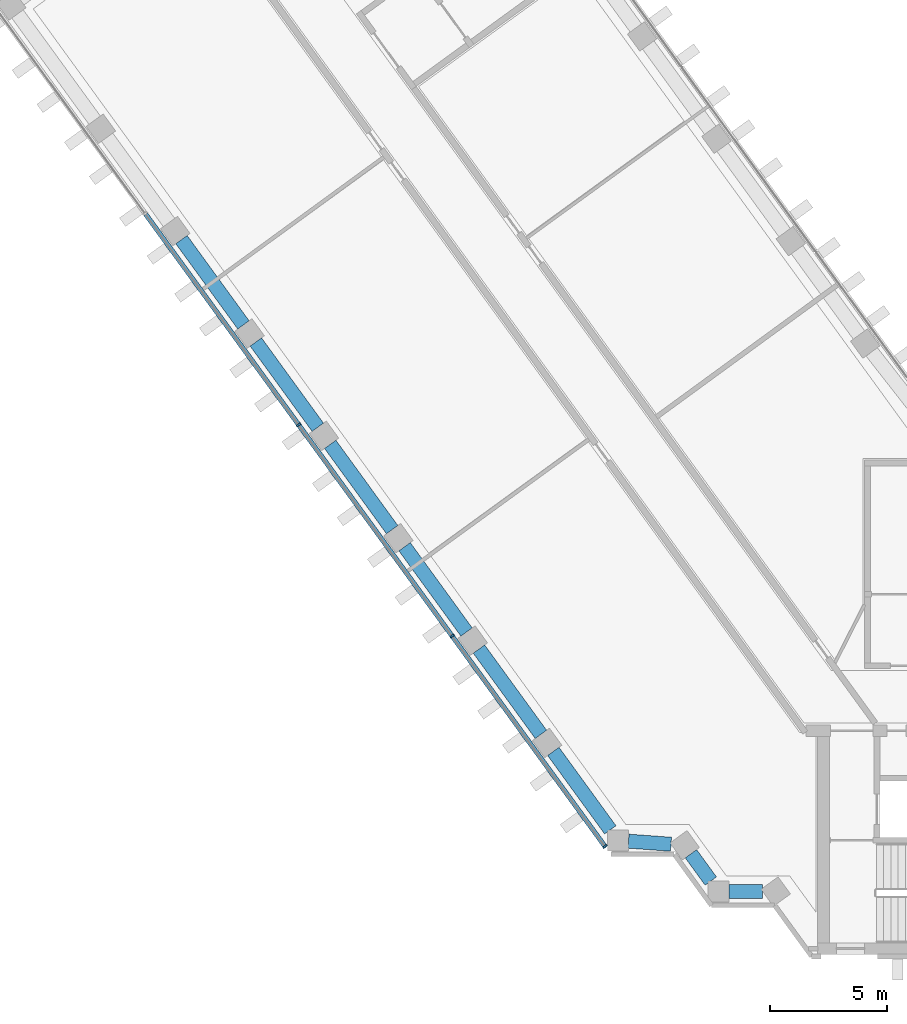
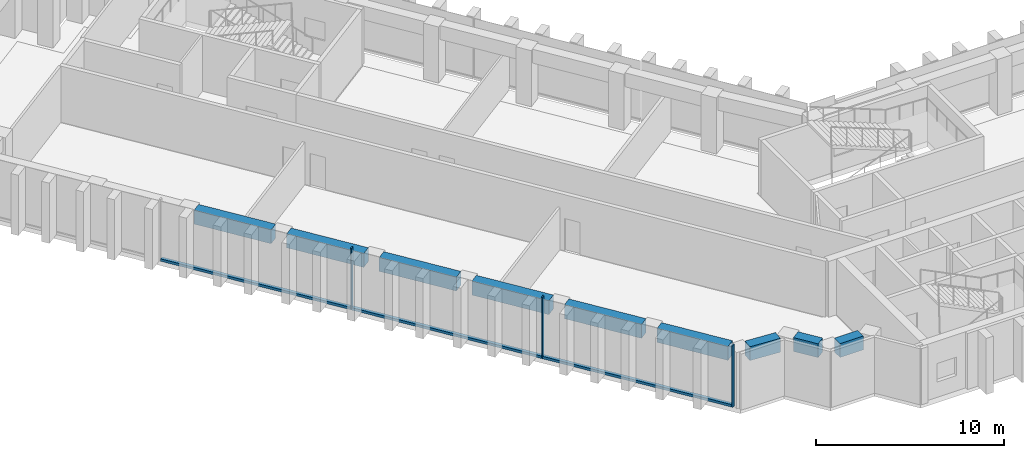
# One storey, part 2 of 15: 9 beams, 6 members, 1 element without a shape of its own.
"""IFC4 building model written with IfcOpenShell, lengths in metres."""

from ifc_helpers import new_model, si_unit, direction, frame, origin, origin_2d, place, context, subcontext, project, spatial, rectangle, extrude, material, material_profile, profile_set, type_object, element, aggregate, save


model = new_model("IFC4")

# Units and contexts
model_context = context("Model", 3, precision=1e-05, world=origin(), true_north=direction((0.0, 1.0)))
body_context = subcontext(model_context, "Body", "Model", "MODEL_VIEW")
ifc_project = project(units=[si_unit("LENGTHUNIT", "METRE"), si_unit("AREAUNIT", "SQUARE_METRE"), si_unit("VOLUMEUNIT", "CUBIC_METRE"), si_unit("PLANEANGLEUNIT", "RADIAN"), si_unit("MASSUNIT", "GRAM", prefix="KILO")], contexts=[model_context])

# Site, building, storey
site_placement = place(None, origin())
site = spatial("IfcSite", under=ifc_project, at=site_placement, CompositionType="ELEMENT")
building_placement = place(site_placement, origin())
building = spatial("IfcBuilding", under=site, at=building_placement, Name="Quipu Civic Tower", CompositionType="ELEMENT")
storey_placement = place(building_placement, frame((0.0, 0.0, 31.0)))
storey = spatial("IfcBuildingStorey", under=building, at=storey_placement, Name="L06", CompositionType="ELEMENT", Elevation=31.0)

# Curtain wall, members
ifc_material_1 = material(Name="Insulated glass unit", Category="glass")
curtain_wall_type = type_object("IfcCurtainWallType", Name="Office curtain wall CW1", PredefinedType="NOTDEFINED", material=ifc_material_1)
curtain_wall_placement = place(storey_placement, origin())
curtain_wall = element("IfcCurtainWall", 1, at=curtain_wall_placement, inside=storey, type_object=curtain_wall_type, Name="Office curtain wall CW1 L06 run 4", PredefinedType="NOTDEFINED")
ifc_material_2 = material(Name="Anodised aluminium", Category="aluminium")
ifc_material_profile_1 = material_profile(ifc_material_2, rectangle(XDim=0.199951171875, YDim=0.080078125, at=origin_2d()), Name="RECT 200x80")
ifc_profile_set_1 = profile_set([ifc_material_profile_1], Name="Anodised aluminium")
member_type_1 = type_object("IfcMemberType", Name="Mullion CW1", PredefinedType="MULLION", material=ifc_profile_set_1)
member_1_placement = place(storey_placement, frame((-42.155029296875, 11.609130859375, 0.080078125), z_axis=(0.0, 0.0, 1.0), x_axis=(0.809016770908, 0.587785559869, 0.0)))
member_1 = element("IfcMember", 2, at=member_1_placement, type_object=member_type_1, Name="CW1 mullion 3", PredefinedType="MULLION", context=body_context, shape_type="SweptSolid", body=[
    extrude(rectangle(XDim=0.199951171875, YDim=0.080078125, at=origin_2d()), origin(), (0.0, 0.0, 1.0), 4.0),
])
member_2_placement = place(storey_placement, frame((-35.60546875, 2.594482421875, 0.080078125), z_axis=(0.0, 0.0, 1.0), x_axis=(0.809016770908, 0.587785559869, 0.0)))
member_2 = element("IfcMember", 3, at=member_2_placement, type_object=member_type_1, Name="CW1 mullion 4", PredefinedType="MULLION", context=body_context, shape_type="SweptSolid", body=[
    extrude(rectangle(XDim=0.199951171875, YDim=0.080078125, at=origin_2d()), origin(), (0.0, 0.0, 1.0), 4.0),
])
member_3_placement = place(storey_placement, frame((-29.079345703125, -6.3876953125, 0.080078125), z_axis=(0.0, 0.0, 1.0), x_axis=(0.809016770908, 0.587785559869, 0.0)))
member_3 = element("IfcMember", 4, at=member_3_placement, type_object=member_type_1, Name="CW1 mullion 5", PredefinedType="MULLION", context=body_context, shape_type="SweptSolid", body=[
    extrude(rectangle(XDim=0.199951171875, YDim=0.080078125, at=origin_2d()), origin(), (0.0, 0.0, 1.0), 4.0),
])

# Beams
ifc_material_3 = material(Name="Concrete C50/60", Category="concrete")
ifc_material_profile_2 = material_profile(ifc_material_3, rectangle(XDim=0.60009765625, YDim=0.89990234375, at=origin_2d()), Name="RC600x900")
ifc_profile_set_2 = profile_set([ifc_material_profile_2], Name="Concrete C50/60")
beam_type = type_object("IfcBeamType", Name="Spandrel beam RC 600x900 C50/60", PredefinedType="SPANDREL", material=ifc_profile_set_2)
beam_1_placement = place(storey_placement, frame((-47.15380859375, 19.5107421875, 3.199951171875), z_axis=(0.587803872688, -0.809003465539, 0.0), x_axis=(0.809003465539, 0.587803872688, 0.0)))
element("IfcBeam", 5, at=beam_1_placement, inside=storey, type_object=beam_type, Name="Spandrel beam L06 W-OUT-06 to W-OUT-05", PredefinedType="SPANDREL", context=body_context, shape_type="SweptSolid", body=[
    extrude(rectangle(XDim=0.60009765625, YDim=0.89990234375, at=origin_2d()), origin(), (0.0, 0.0, 1.0), 4.499755859375),
])
for number, where, z_axis, x_axis, name in (
    (6, (-43.97998046875, 15.14208984375, 3.199951171875), (0.587778073121, -0.809022210299, 0.0), (0.809022210299, 0.587778073121, 0.0), "Spandrel beam L06 W-OUT-05 to W-OUT-04"),
    (7, (-40.805908203125, 10.7734375, 3.199951171875), (0.587778073121, -0.809022210299, 0.0), (0.809022210299, 0.587778073121, 0.0), "Spandrel beam L06 W-OUT-04 to W-OUT-03"),
):
    element("IfcBeam", number, at=place(storey_placement, frame(where, z_axis=z_axis, x_axis=x_axis)), inside=storey, type_object=beam_type, Name=name, PredefinedType="SPANDREL", context=body_context, shape_type="SweptSolid", body=[
        extrude(rectangle(XDim=0.60009765625, YDim=0.89990234375, at=origin_2d()), origin(), (0.0, 0.0, 1.0), 4.5),
    ])
beam_2_placement = place(storey_placement, frame((-37.6318359375, 6.404541015625, 3.199951171875), z_axis=(0.587803872688, -0.809003465539, 0.0), x_axis=(0.809003465539, 0.587803872688, 0.0)))
element("IfcBeam", 8, at=beam_2_placement, inside=storey, type_object=beam_type, Name="Spandrel beam L06 W-OUT-03 to W-OUT-02", PredefinedType="SPANDREL", context=body_context, shape_type="SweptSolid", body=[
    extrude(rectangle(XDim=0.60009765625, YDim=0.89990234375, at=origin_2d()), origin(), (0.0, 0.0, 1.0), 4.499755859375),
])
beam_3_placement = place(storey_placement, frame((-34.457763671875, 2.035888671875, 3.199951171875), z_axis=(0.587778073121, -0.809022210299, 0.0), x_axis=(0.809022210299, 0.587778073121, 0.0)))
element("IfcBeam", 9, at=beam_3_placement, inside=storey, type_object=beam_type, Name="Spandrel beam L06 W-OUT-02 to W-OUT-01", PredefinedType="SPANDREL", context=body_context, shape_type="SweptSolid", body=[
    extrude(rectangle(XDim=0.60009765625, YDim=0.89990234375, at=origin_2d()), origin(), (0.0, 0.0, 1.0), 4.5),
])
beam_4_placement = place(storey_placement, frame((-31.28369140625, -2.332763671875, 3.199951171875), z_axis=(0.587750565781, -0.809042194464, 0.0), x_axis=(0.809042194464, 0.587750565781, 0.0)))
element("IfcBeam", 10, at=beam_4_placement, inside=storey, type_object=beam_type, Name="Spandrel beam L06 W-OUT-01 to J-Wo.0", PredefinedType="SPANDREL", context=body_context, shape_type="SweptSolid", body=[
    extrude(rectangle(XDim=0.60009765625, YDim=0.89990234375, at=origin_2d()), origin(), (0.0, 0.0, 1.0), 4.13720703125),
])
beam_5_placement = place(storey_placement, frame((-28.074951171875, -6.16259765625, 3.199951171875), z_axis=(0.997367229877, -0.072516265536, 0.0), x_axis=(0.072516265536, 0.997367229877, 0.0)))
element("IfcBeam", 11, at=beam_5_placement, inside=storey, type_object=beam_type, Name="Spandrel beam L06 J-Wo.0 to J-Wo.1", PredefinedType="SPANDREL", context=body_context, shape_type="SweptSolid", body=[
    extrude(rectangle(XDim=0.60009765625, YDim=0.89990234375, at=origin_2d()), origin(), (0.0, 0.0, 1.0), 1.818115234375),
])
beam_6_placement = place(storey_placement, frame((-25.40966796875, -6.700927734375, 3.199951171875), z_axis=(0.588433824377, -0.808545381738, 0.0), x_axis=(0.808545381738, 0.588433824377, 0.0)))
element("IfcBeam", 12, at=beam_6_placement, inside=storey, type_object=beam_type, Name="Spandrel beam L06 J-Wo.1 to J-Wo.2", PredefinedType="SPANDREL", context=body_context, shape_type="SweptSolid", body=[
    extrude(rectangle(XDim=0.60009765625, YDim=0.89990234375, at=origin_2d()), origin(), (0.0, 0.0, 1.0), 1.439697265625),
])
beam_7_placement = place(storey_placement, frame((-23.784912109375, -8.31494140625, 3.199951171875), z_axis=(1.0, 0.0, 0.0), x_axis=(0.0, 1.0, 0.0)))
element("IfcBeam", 13, at=beam_7_placement, inside=storey, type_object=beam_type, Name="Spandrel beam L06 J-Wo.2 to J-Wo.3", PredefinedType="SPANDREL", context=body_context, shape_type="SweptSolid", body=[
    extrude(rectangle(XDim=0.60009765625, YDim=0.89990234375, at=origin_2d()), origin(), (0.0, 0.0, 1.0), 1.436767578125),
])

# Member
ifc_material_4 = material(Name="Anodised aluminium", Category="aluminium")
ifc_material_profile_3 = material_profile(ifc_material_4, rectangle(XDim=0.199951171875, YDim=0.159912109375, at=origin_2d()), Name="RECT 200x160")
ifc_profile_set_3 = profile_set([ifc_material_profile_3], Name="Anodised aluminium")
member_type_2 = type_object("IfcMemberType", Name="Transom CW1", PredefinedType="USERDEFINED", material=ifc_profile_set_3)
member_4_placement = place(storey_placement, frame((-48.68115234375, 20.591552734375, 0.159912109375), z_axis=(0.587795037589, -0.80900988485, 0.0), x_axis=(0.80900988485, 0.587795037589, 0.0)))
member_4 = element("IfcMember", 14, at=member_4_placement, type_object=member_type_2, Name="CW1 transom 2.1", ObjectType="TRANSOM", PredefinedType="USERDEFINED", context=body_context, shape_type="SweptSolid", body=[
    extrude(rectangle(XDim=0.199951171875, YDim=0.159912109375, at=origin_2d()), origin(), (0.0, 0.0, 1.0), 11.062744140625),
])

member_5_placement = place(storey_placement, frame((-42.131591796875, 11.576904296875, 0.159912109375), z_axis=(0.587795037589, -0.80900988485, 0.0), x_axis=(0.80900988485, 0.587795037589, 0.0)))
member_5 = element("IfcMember", 15, at=member_5_placement, type_object=member_type_2, Name="CW1 transom 3.1", ObjectType="TRANSOM", PredefinedType="USERDEFINED", context=body_context, shape_type="SweptSolid", body=[
    extrude(rectangle(XDim=0.199951171875, YDim=0.159912109375, at=origin_2d()), origin(), (0.0, 0.0, 1.0), 11.062744140625),
])

member_6_placement = place(storey_placement, frame((-35.58203125, 2.562255859375, 0.159912109375), z_axis=(0.587779179422, -0.809021406539, 0.0), x_axis=(0.809021406539, 0.587779179422, 0.0)))
member_6 = element("IfcMember", 16, at=member_6_placement, type_object=member_type_2, Name="CW1 transom 4.1", ObjectType="TRANSOM", PredefinedType="USERDEFINED", context=body_context, shape_type="SweptSolid", body=[
    extrude(rectangle(XDim=0.199951171875, YDim=0.159912109375, at=origin_2d()), origin(), (0.0, 0.0, 1.0), 11.02294921875),
])

aggregate(curtain_wall, [member_1, member_2, member_3, member_4, member_5, member_6])

save(model, "model.ifc")
